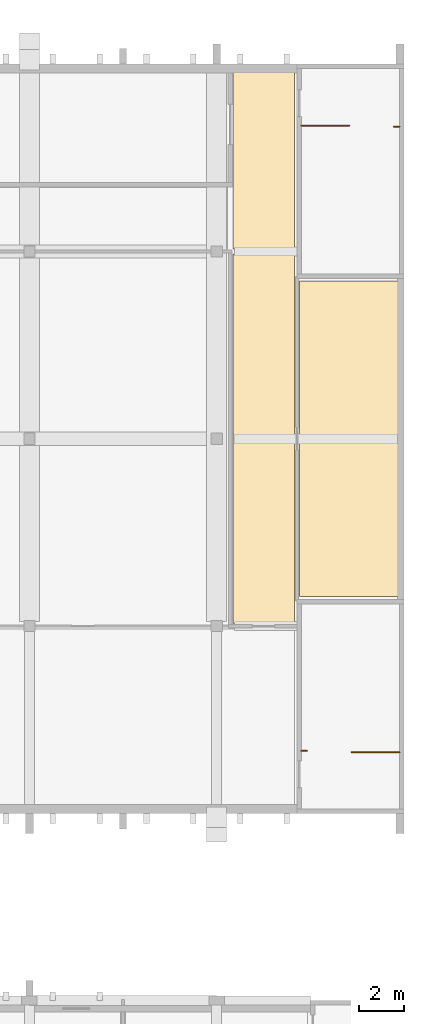
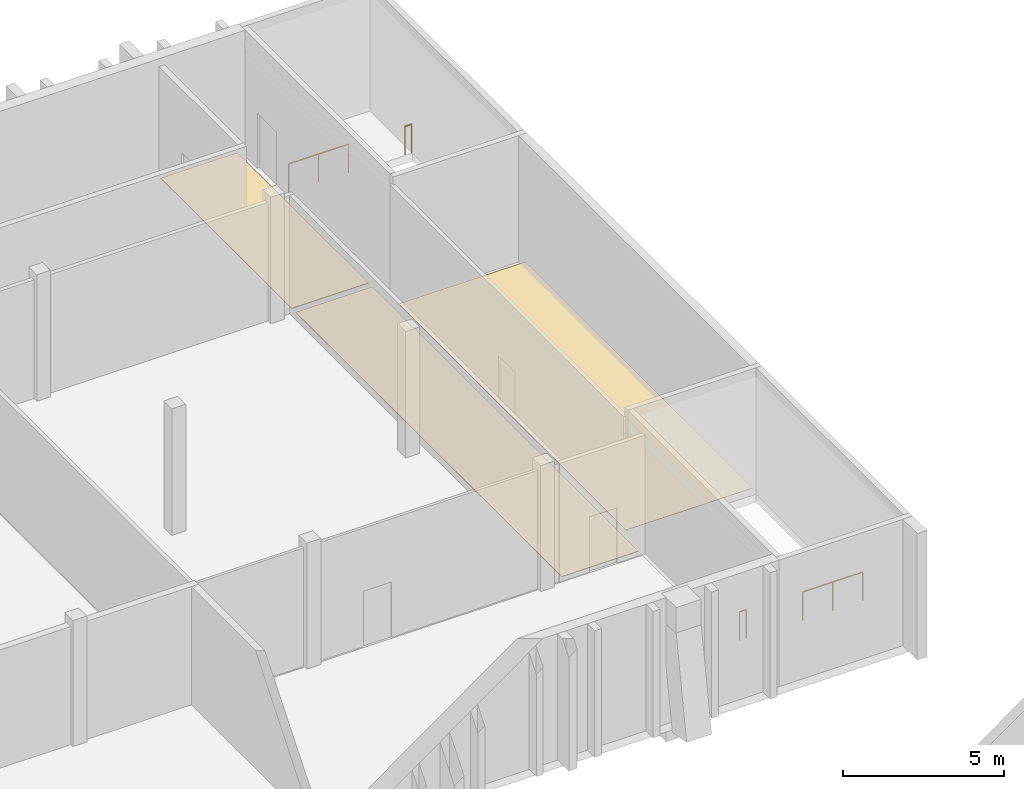
# One storey, part 86 of 86: 4 railings, 3 coverings.
"""IFC4 building model written with IfcOpenShell, lengths in metres."""

import ifcopenshell
import ifcopenshell.guid

model = None  # the IFC model being written
_history = None  # IfcOwnerHistory: only IFC2X3 demands one
_inside = {}  # id of a spatial element -> (the spatial element, [elements in it])
_under = {}  # id of a project, library or spatial element -> (it, [spatial elements below it])
_declared = {}  # id of a project -> (the project, [libraries it declares])
_typed = {}  # id of a type object -> (the type object, [elements of that type])
_made_of = {}  # id of a material, layer set ... -> (it, [elements and type objects made of it])


def new_model(schema):
    """Start an empty IFC model of exactly this schema.

    Asked for "IFC4X3", IfcOpenShell would pick the latest addendum, in which some entities
    have other attributes; the version numbers below select the first issue.
    IFC2X3 requires an IfcOwnerHistory on every rooted entity: one is made here for all.
    """
    global model, _history
    if schema == "IFC4X3":
        model = ifcopenshell.file(schema_version=(4, 3, 0, 0))
    else:
        model = ifcopenshell.file(schema=schema)
    _inside.clear()
    _under.clear()
    _declared.clear()
    _typed.clear()
    _made_of.clear()
    _history = None
    if model.schema == "IFC2X3":
        org = make("IfcOrganization", Name="unknown")
        user = make(
            "IfcPersonAndOrganization",
            ThePerson=make("IfcPerson", FamilyName="unknown"),
            TheOrganization=org,
        )
        app = make(
            "IfcApplication",
            ApplicationDeveloper=org,
            Version="unknown",
            ApplicationFullName="unknown",
            ApplicationIdentifier="unknown",
        )
        _history = make(
            "IfcOwnerHistory",
            OwningUser=user,
            OwningApplication=app,
            ChangeAction="ADDED",
            CreationDate=0,
        )
    return model


def make(cls, **values):
    """One entity of the class cls with the attributes given. An attribute that is None is left unset."""
    return model.create_entity(
        cls, **{name: value for name, value in values.items() if value is not None}
    )


def rooted(cls, **values):
    """An entity with a GlobalId (a new one), such as an element, a storey or a relation."""
    return make(cls, GlobalId=ifcopenshell.guid.new(), OwnerHistory=_history, **values)


def si_unit(unit_type, name, prefix=None):
    """IfcSIUnit, for example si_unit("LENGTHUNIT", "METRE", prefix="MILLI")."""
    return make("IfcSIUnit", UnitType=unit_type, Prefix=prefix, Name=name)


def assignment(units):
    """IfcUnitAssignment: the units of a project."""
    return None if units is None else make("IfcUnitAssignment", Units=units)


def point(xyz):
    """IfcCartesianPoint."""
    return None if xyz is None else make("IfcCartesianPoint", Coordinates=xyz)


def direction(xyz):
    """IfcDirection."""
    return None if xyz is None else make("IfcDirection", DirectionRatios=xyz)


def frame(location, z_axis=None, x_axis=None):
    """IfcAxis2Placement3D, a coordinate frame: its origin and axes. An axis left out is left unset."""
    return make(
        "IfcAxis2Placement3D",
        Location=point(location),
        Axis=direction(z_axis),
        RefDirection=direction(x_axis),
    )


def frame_2d(location, x_axis=None):
    """IfcAxis2Placement2D, a coordinate frame in the plane: its origin and x axis."""
    return make(
        "IfcAxis2Placement2D", Location=point(location), RefDirection=direction(x_axis)
    )


def origin():
    """The frame at (0, 0, 0) with its axes left unset."""
    return frame((0.0, 0.0, 0.0))


def origin_2d():
    """The frame at (0, 0) in the plane with its x axis left unset."""
    return frame_2d((0.0, 0.0))


def place(relative_to, where):
    """IfcLocalPlacement: puts the frame where relative to a parent placement (None: the world)."""
    return make(
        "IfcLocalPlacement", PlacementRelTo=relative_to, RelativePlacement=where
    )


def context(
    kind, dimensions, precision=None, world=None, true_north=None, identifier=None
):
    """IfcGeometricRepresentationContext, for example the 3D "Model" context."""
    return make(
        "IfcGeometricRepresentationContext",
        ContextIdentifier=identifier,
        ContextType=kind,
        CoordinateSpaceDimension=dimensions,
        Precision=precision,
        WorldCoordinateSystem=world,
        TrueNorth=true_north,
    )


def subcontext(parent, identifier, kind, view, scale=None):
    """IfcGeometricRepresentationSubContext, for example "Body" below "Model"."""
    return make(
        "IfcGeometricRepresentationSubContext",
        ContextIdentifier=identifier,
        ContextType=kind,
        ParentContext=parent,
        TargetScale=scale,
        TargetView=view,
    )


def project(units=None, contexts=None):
    """IfcProject with its units and contexts."""
    return rooted(
        "IfcProject",
        Name="project",
        RepresentationContexts=contexts,
        UnitsInContext=assignment(units),
    )


def spatial(cls, under=None, at=None, **own):
    """A site, building, storey or space (cls), placed at a placement, below another one or the project."""
    s = rooted(cls, ObjectPlacement=at, **own)
    if under is not None:
        _under.setdefault(under.id(), (under, []))[1].append(s)
    return s


def polyline(points):
    """IfcPolyline through the points."""
    return make("IfcPolyline", Points=[point(p) for p in points])


def profile(cls, at=None, kind="AREA", **sizes):
    """A parametric profile (cls). Its sizes go by their IFC names, for example OverallWidth=200.0."""
    return make(cls, ProfileType=kind, Position=at, **sizes)


def circle(**sizes):
    """IfcCircleProfileDef."""
    return profile("IfcCircleProfileDef", **sizes)


def outline(outer, holes=None, kind="AREA"):
    """IfcArbitraryClosedProfileDef: a profile drawn as a closed curve; with holes, ...WithVoids."""
    if holes is None:
        return make("IfcArbitraryClosedProfileDef", ProfileType=kind, OuterCurve=outer)
    return make(
        "IfcArbitraryProfileDefWithVoids",
        ProfileType=kind,
        OuterCurve=outer,
        InnerCurves=holes,
    )


def extrude(swept, where, along, depth):
    """IfcExtrudedAreaSolid: the profile swept, set in the frame where, extruded along a direction by depth."""
    return make(
        "IfcExtrudedAreaSolid",
        SweptArea=swept,
        Position=where,
        ExtrudedDirection=direction(along),
        Depth=depth,
    )


def shape(context_of_items, identifier, shape_type, items):
    """IfcShapeRepresentation: the items that make up one representation, for example the "Body"."""
    return make(
        "IfcShapeRepresentation",
        ContextOfItems=context_of_items,
        RepresentationIdentifier=identifier,
        RepresentationType=shape_type,
        Items=items,
    )


def material(Name=None, Category=None):
    """IfcMaterial."""
    return make("IfcMaterial", Name=Name, Category=Category)


def layer(
    of_material, thickness, ventilated=None, Name=None, Category=None, Priority=None
):
    """IfcMaterialLayer: one layer of a wall or slab, of a material (None: an air gap)."""
    return make(
        "IfcMaterialLayer",
        Material=of_material,
        LayerThickness=thickness,
        IsVentilated=ventilated,
        Name=Name,
        Category=Category,
        Priority=Priority,
    )


def layer_set(layers, Name=None):
    """IfcMaterialLayerSet."""
    return make("IfcMaterialLayerSet", MaterialLayers=layers, LayerSetName=Name)


def made_of(thing, what):
    """Note that an element or type object is made of a material, layer set ...; save() writes the relation."""
    if what is not None:
        _made_of.setdefault(what.id(), (what, []))[1].append(thing)
    return thing


def type_object(cls, material=None, **own):
    """A type object (cls), such as IfcWallType, which elements share."""
    return made_of(rooted(cls, **own), material)


def element(
    cls,
    number,
    at=None,
    inside=None,
    cuts=None,
    type_object=None,
    material=None,
    context=None,
    identifier="Body",
    shape_type=None,
    held_by="IfcProductDefinitionShape",
    body=None,
    shapes=None,
    **own,
):
    """One element of the class cls, such as IfcWall. Its Tag is "e" and its number.

    at: its placement. inside: the storey or other place that contains it. cuts: it is an
    opening in that element (IfcRelVoidsElement). A single representation is given by context,
    identifier, shape_type and body (its items); several are given by shapes. held_by: the class
    of the entity that holds the representations. save() writes the other relations.
    """
    e = rooted(cls, Tag="e%d" % number, ObjectPlacement=at, **own)
    if body is not None:
        shapes = [shape(context, identifier, shape_type, body)]
    if shapes is not None:
        e.Representation = make(held_by, Representations=shapes)
    if inside is not None:
        _inside.setdefault(inside.id(), (inside, []))[1].append(e)
    if cuts is not None:
        rooted(
            "IfcRelVoidsElement", RelatingBuildingElement=cuts, RelatedOpeningElement=e
        )
    if type_object is not None:
        _typed.setdefault(type_object.id(), (type_object, []))[1].append(e)
    return made_of(e, material)


def aggregate(whole, parts):
    """IfcRelAggregates: a whole, such as a stair, and the parts it consists of."""
    return rooted("IfcRelAggregates", RelatingObject=whole, RelatedObjects=parts)


def save(model, path):
    """Write the relations noted so far, then the file.

    IfcRelAggregates (storeys below a building ...), IfcRelContainedInSpatialStructure (elements
    in a storey), IfcRelDefinesByType, IfcRelAssociatesMaterial and IfcRelDeclares: one each for
    every whole, place, type object, material and project.
    """
    for whole, parts in _under.values():
        aggregate(whole, parts)
    for where, things in _inside.values():
        rooted(
            "IfcRelContainedInSpatialStructure",
            RelatedElements=things,
            RelatingStructure=where,
        )
    for kind, things in _typed.values():
        rooted("IfcRelDefinesByType", RelatedObjects=things, RelatingType=kind)
    for what, things in _made_of.values():
        rooted("IfcRelAssociatesMaterial", RelatedObjects=things, RelatingMaterial=what)
    for by, libraries in _declared.values():
        rooted("IfcRelDeclares", RelatingContext=by, RelatedDefinitions=libraries)
    model.write(path)


model = new_model("IFC4")

# Units and contexts
model_context = context("Model", 3, precision=1e-05, world=origin(), true_north=direction((0.0, 1.0)))
body_context = subcontext(model_context, "Body", "Model", "MODEL_VIEW")
ifc_project = project(units=[si_unit("LENGTHUNIT", "METRE"), si_unit("AREAUNIT", "SQUARE_METRE"), si_unit("VOLUMEUNIT", "CUBIC_METRE"), si_unit("PLANEANGLEUNIT", "RADIAN"), si_unit("MASSUNIT", "GRAM", prefix="KILO")], contexts=[model_context])

# Site, building, storey
site_placement = place(None, origin())
site = spatial("IfcSite", under=ifc_project, at=site_placement, CompositionType="ELEMENT")
building_placement = place(site_placement, origin())
building = spatial("IfcBuilding", under=site, at=building_placement, Name="Kiln Court Media Centre", CompositionType="ELEMENT")
storey_placement = place(building_placement, frame((0.0, 0.0, 10.199951171875)))
storey = spatial("IfcBuildingStorey", under=building, at=storey_placement, Name="L02", CompositionType="ELEMENT", Elevation=10.199951171875)

# Coverings
ifc_material_1 = material(Name="Carpet tile")
ifc_layer_1 = layer(ifc_material_1, 0.014892578125)
ifc_layer_set_1 = layer_set([ifc_layer_1], Name="Carpet tile floor finish 15")
covering_type_1 = type_object("IfcCoveringType", Name="Carpet tile floor finish 15", PredefinedType="FLOORING", material=ifc_layer_set_1)
covering_1_placement = place(storey_placement, origin())
element("IfcCovering", 1, at=covering_1_placement, inside=storey, type_object=covering_type_1, Name="Dressing Rooms floor finish", PredefinedType="FLOORING", context=body_context, shape_type="SweptSolid", body=[
    extrude(outline(polyline([(167.8798828125, 43.320068359375), (167.8798828125, 57.47998046875), (163.320068359375, 57.47998046875), (163.320068359375, 43.320068359375), (167.8798828125, 43.320068359375)])), origin(), (0.0, 0.0, 1.0), 0.01513671875),
])
ifc_material_2 = material(Name="Terrazzo")
ifc_layer_2 = layer(ifc_material_2, 0.02490234375)
ifc_layer_set_2 = layer_set([ifc_layer_2], Name="Polished terrazzo floor finish 25")
covering_type_2 = type_object("IfcCoveringType", Name="Polished terrazzo floor finish 25", PredefinedType="FLOORING", material=ifc_layer_set_2)
covering_2_placement = place(storey_placement, origin())
element("IfcCovering", 2, at=covering_2_placement, inside=storey, type_object=covering_type_2, Name="Studio Corridor floor finish", PredefinedType="FLOORING", context=body_context, shape_type="SweptSolid", body=[
    extrude(outline(polyline([(160.320068359375, 42.1201171875), (163.080078125, 42.1201171875), (163.080078125, 58.679931640625), (160.320068359375, 58.679931640625), (160.320068359375, 42.1201171875)])), origin(), (0.0, 0.0, 1.0), 0.025146484375),
])
covering_3_placement = place(storey_placement, origin())
element("IfcCovering", 3, at=covering_3_placement, inside=storey, type_object=covering_type_2, Name="Studio Corridor floor finish", PredefinedType="FLOORING", context=body_context, shape_type="SweptSolid", body=[
    extrude(outline(polyline([(160.320068359375, 58.919921875), (163.080078125, 58.919921875), (163.080078125, 67.080078125), (160.320068359375, 67.080078125), (160.320068359375, 58.919921875)])), origin(), (0.0, 0.0, 1.0), 0.025146484375),
])

# Railings
ifc_material_3 = material(Name="Steel S275", Category="steel")
railing_type = type_object("IfcRailingType", Name="Steel S275 stair guard 1100", PredefinedType="GUARDRAIL", material=ifc_material_3)
railing_1_placement = place(storey_placement, frame((163.64990234375, 36.39990234375, 0.0)))
element("IfcRailing", 4, at=railing_1_placement, inside=storey, type_object=railing_type, Name="ST-14 landing edge guard", PredefinedType="GUARDRAIL", context=body_context, shape_type="SweptSolid", body=[
    extrude(circle(Radius=0.02392578125, at=origin_2d()), frame((0.0, 0.0, 1.076171875), z_axis=(-1.0, 0.0, 0.0), x_axis=(0.0, -1.0, 0.0)), (0.0, 0.0, 1.0), 0.25),
    extrude(circle(Radius=0.02099609375, at=origin_2d()), origin(), (0.0, 0.0, 1.0), 1.052001953125),
    extrude(circle(Radius=0.02099609375, at=origin_2d()), frame((-0.25, 0.0, 0.0)), (0.0, 0.0, 1.0), 1.052001953125),
])
railing_2_placement = place(storey_placement, frame((167.800048828125, 36.35009765625, 0.0)))
element("IfcRailing", 5, at=railing_2_placement, inside=storey, type_object=railing_type, Name="ST-14 top floor guard", PredefinedType="GUARDRAIL", context=body_context, shape_type="SweptSolid", body=[
    extrude(circle(Radius=0.02392578125, at=origin_2d()), frame((0.0, 0.0, 1.076171875), z_axis=(-1.0, 0.0, 0.0), x_axis=(0.0, -1.0, 0.0)), (0.0, 0.0, 1.0), 2.150146484375),
    extrude(circle(Radius=0.02099609375, at=origin_2d()), origin(), (0.0, 0.0, 1.0), 1.052001953125),
    extrude(circle(Radius=0.02099609375, at=origin_2d()), frame((-1.0751953125, 0.0, 0.0)), (0.0, 0.0, 1.0), 1.052001953125),
    extrude(circle(Radius=0.02099609375, at=origin_2d()), frame((-2.150146484375, 0.0, 0.0)), (0.0, 0.0, 1.0), 1.052001953125),
])
railing_3_placement = place(storey_placement, frame((167.550048828125, 64.39990234375, 0.0)))
element("IfcRailing", 6, at=railing_3_placement, inside=storey, type_object=railing_type, Name="ST-15 landing edge guard", PredefinedType="GUARDRAIL", context=body_context, shape_type="SweptSolid", body=[
    extrude(circle(Radius=0.02392578125, at=origin_2d()), frame((0.0, 0.0, 1.076171875), z_axis=(1.0, 0.0, 0.0), x_axis=(0.0, 1.0, 0.0)), (0.0, 0.0, 1.0), 0.25),
    extrude(circle(Radius=0.02099609375, at=origin_2d()), origin(), (0.0, 0.0, 1.0), 1.052001953125),
    extrude(circle(Radius=0.02099609375, at=origin_2d()), frame((0.25, 0.0, 0.0)), (0.0, 0.0, 1.0), 1.052001953125),
])
railing_4_placement = place(storey_placement, frame((163.39990234375, 64.449951171875, 0.0)))
element("IfcRailing", 7, at=railing_4_placement, inside=storey, type_object=railing_type, Name="ST-15 top floor guard", PredefinedType="GUARDRAIL", context=body_context, shape_type="SweptSolid", body=[
    extrude(circle(Radius=0.02392578125, at=origin_2d()), frame((0.0, 0.0, 1.076171875), z_axis=(1.0, 0.0, 0.0), x_axis=(0.0, 1.0, 0.0)), (0.0, 0.0, 1.0), 2.150146484375),
    extrude(circle(Radius=0.02099609375, at=origin_2d()), origin(), (0.0, 0.0, 1.0), 1.052001953125),
    extrude(circle(Radius=0.02099609375, at=origin_2d()), frame((1.0751953125, 0.0, 0.0)), (0.0, 0.0, 1.0), 1.052001953125),
    extrude(circle(Radius=0.02099609375, at=origin_2d()), frame((2.150146484375, 0.0, 0.0)), (0.0, 0.0, 1.0), 1.052001953125),
])

save(model, "model.ifc")
